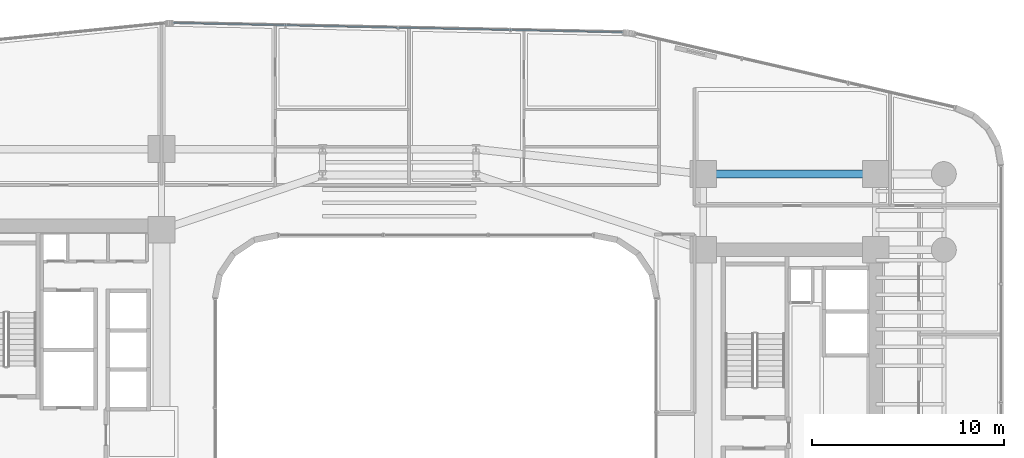
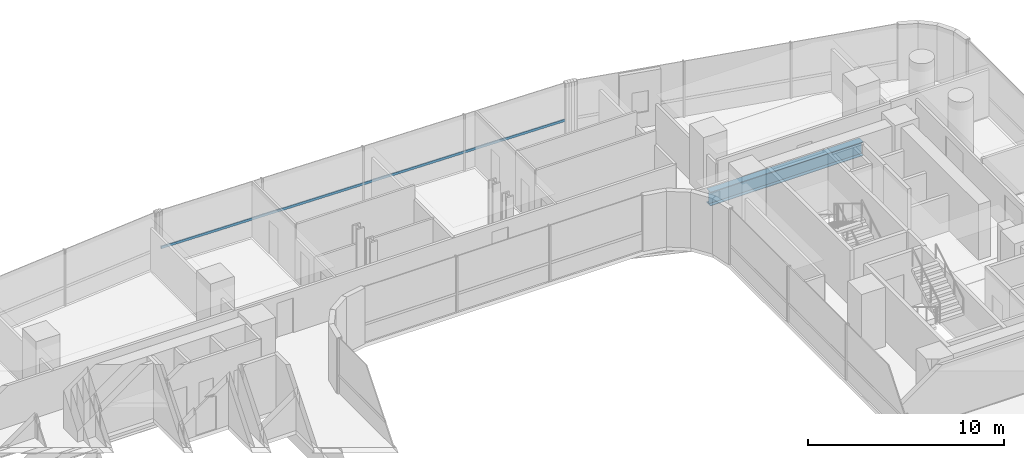
# One storey, part 24 of 41: 1 beam, 1 member, 1 element without a shape of its own.
"""IFC4 building model written with IfcOpenShell, lengths in metres."""

import ifcopenshell
import ifcopenshell.guid

model = None  # the IFC model being written
_history = None  # IfcOwnerHistory: only IFC2X3 demands one
_inside = {}  # id of a spatial element -> (the spatial element, [elements in it])
_under = {}  # id of a project, library or spatial element -> (it, [spatial elements below it])
_declared = {}  # id of a project -> (the project, [libraries it declares])
_typed = {}  # id of a type object -> (the type object, [elements of that type])
_made_of = {}  # id of a material, layer set ... -> (it, [elements and type objects made of it])


def new_model(schema):
    """Start an empty IFC model of exactly this schema.

    Asked for "IFC4X3", IfcOpenShell would pick the latest addendum, in which some entities
    have other attributes; the version numbers below select the first issue.
    IFC2X3 requires an IfcOwnerHistory on every rooted entity: one is made here for all.
    """
    global model, _history
    if schema == "IFC4X3":
        model = ifcopenshell.file(schema_version=(4, 3, 0, 0))
    else:
        model = ifcopenshell.file(schema=schema)
    _inside.clear()
    _under.clear()
    _declared.clear()
    _typed.clear()
    _made_of.clear()
    _history = None
    if model.schema == "IFC2X3":
        org = make("IfcOrganization", Name="unknown")
        user = make(
            "IfcPersonAndOrganization",
            ThePerson=make("IfcPerson", FamilyName="unknown"),
            TheOrganization=org,
        )
        app = make(
            "IfcApplication",
            ApplicationDeveloper=org,
            Version="unknown",
            ApplicationFullName="unknown",
            ApplicationIdentifier="unknown",
        )
        _history = make(
            "IfcOwnerHistory",
            OwningUser=user,
            OwningApplication=app,
            ChangeAction="ADDED",
            CreationDate=0,
        )
    return model


def make(cls, **values):
    """One entity of the class cls with the attributes given. An attribute that is None is left unset."""
    return model.create_entity(
        cls, **{name: value for name, value in values.items() if value is not None}
    )


def rooted(cls, **values):
    """An entity with a GlobalId (a new one), such as an element, a storey or a relation."""
    return make(cls, GlobalId=ifcopenshell.guid.new(), OwnerHistory=_history, **values)


def si_unit(unit_type, name, prefix=None):
    """IfcSIUnit, for example si_unit("LENGTHUNIT", "METRE", prefix="MILLI")."""
    return make("IfcSIUnit", UnitType=unit_type, Prefix=prefix, Name=name)


def assignment(units):
    """IfcUnitAssignment: the units of a project."""
    return None if units is None else make("IfcUnitAssignment", Units=units)


def point(xyz):
    """IfcCartesianPoint."""
    return None if xyz is None else make("IfcCartesianPoint", Coordinates=xyz)


def direction(xyz):
    """IfcDirection."""
    return None if xyz is None else make("IfcDirection", DirectionRatios=xyz)


def frame(location, z_axis=None, x_axis=None):
    """IfcAxis2Placement3D, a coordinate frame: its origin and axes. An axis left out is left unset."""
    return make(
        "IfcAxis2Placement3D",
        Location=point(location),
        Axis=direction(z_axis),
        RefDirection=direction(x_axis),
    )


def frame_2d(location, x_axis=None):
    """IfcAxis2Placement2D, a coordinate frame in the plane: its origin and x axis."""
    return make(
        "IfcAxis2Placement2D", Location=point(location), RefDirection=direction(x_axis)
    )


def origin():
    """The frame at (0, 0, 0) with its axes left unset."""
    return frame((0.0, 0.0, 0.0))


def origin_2d():
    """The frame at (0, 0) in the plane with its x axis left unset."""
    return frame_2d((0.0, 0.0))


def place(relative_to, where):
    """IfcLocalPlacement: puts the frame where relative to a parent placement (None: the world)."""
    return make(
        "IfcLocalPlacement", PlacementRelTo=relative_to, RelativePlacement=where
    )


def context(
    kind, dimensions, precision=None, world=None, true_north=None, identifier=None
):
    """IfcGeometricRepresentationContext, for example the 3D "Model" context."""
    return make(
        "IfcGeometricRepresentationContext",
        ContextIdentifier=identifier,
        ContextType=kind,
        CoordinateSpaceDimension=dimensions,
        Precision=precision,
        WorldCoordinateSystem=world,
        TrueNorth=true_north,
    )


def subcontext(parent, identifier, kind, view, scale=None):
    """IfcGeometricRepresentationSubContext, for example "Body" below "Model"."""
    return make(
        "IfcGeometricRepresentationSubContext",
        ContextIdentifier=identifier,
        ContextType=kind,
        ParentContext=parent,
        TargetScale=scale,
        TargetView=view,
    )


def project(units=None, contexts=None):
    """IfcProject with its units and contexts."""
    return rooted(
        "IfcProject",
        Name="project",
        RepresentationContexts=contexts,
        UnitsInContext=assignment(units),
    )


def spatial(cls, under=None, at=None, **own):
    """A site, building, storey or space (cls), placed at a placement, below another one or the project."""
    s = rooted(cls, ObjectPlacement=at, **own)
    if under is not None:
        _under.setdefault(under.id(), (under, []))[1].append(s)
    return s


def profile(cls, at=None, kind="AREA", **sizes):
    """A parametric profile (cls). Its sizes go by their IFC names, for example OverallWidth=200.0."""
    return make(cls, ProfileType=kind, Position=at, **sizes)


def hollow_rectangle(**sizes):
    """IfcRectangleHollowProfileDef."""
    return profile("IfcRectangleHollowProfileDef", **sizes)


def i_section(**sizes):
    """IfcIShapeProfileDef."""
    return profile("IfcIShapeProfileDef", **sizes)


def extrude(swept, where, along, depth):
    """IfcExtrudedAreaSolid: the profile swept, set in the frame where, extruded along a direction by depth."""
    return make(
        "IfcExtrudedAreaSolid",
        SweptArea=swept,
        Position=where,
        ExtrudedDirection=direction(along),
        Depth=depth,
    )


def shape(context_of_items, identifier, shape_type, items):
    """IfcShapeRepresentation: the items that make up one representation, for example the "Body"."""
    return make(
        "IfcShapeRepresentation",
        ContextOfItems=context_of_items,
        RepresentationIdentifier=identifier,
        RepresentationType=shape_type,
        Items=items,
    )


def source(mapping_origin, context_of_items, identifier, shape_type, items):
    """IfcRepresentationMap: a shape defined once, which mapped items show again and again."""
    return make(
        "IfcRepresentationMap",
        MappingOrigin=mapping_origin,
        MappedRepresentation=shape(context_of_items, identifier, shape_type, items),
    )


def transform(
    local_origin,
    x_axis=None,
    y_axis=None,
    z_axis=None,
    scale=None,
    scale2=None,
    scale3=None,
    uniform=True,
):
    """IfcCartesianTransformationOperator3D, or its non-uniform kind. x_axis, y_axis, z_axis: its Axis1, 2, 3."""
    if uniform:
        return make(
            "IfcCartesianTransformationOperator3D",
            Axis1=direction(x_axis),
            Axis2=direction(y_axis),
            LocalOrigin=point(local_origin),
            Scale=scale,
            Axis3=direction(z_axis),
        )
    return make(
        "IfcCartesianTransformationOperator3DnonUniform",
        Axis1=direction(x_axis),
        Axis2=direction(y_axis),
        LocalOrigin=point(local_origin),
        Scale=scale,
        Axis3=direction(z_axis),
        Scale2=scale2,
        Scale3=scale3,
    )


def mapped(mapping_source, mapping_target):
    """IfcMappedItem: shows the shape of a source again, moved by a transform."""
    return make(
        "IfcMappedItem", MappingSource=mapping_source, MappingTarget=mapping_target
    )


def material(Name=None, Category=None):
    """IfcMaterial."""
    return make("IfcMaterial", Name=Name, Category=Category)


def material_profile(
    of_material, cross_section, Name=None, Category=None, Priority=None
):
    """IfcMaterialProfile: a cross section and its material."""
    return make(
        "IfcMaterialProfile",
        Name=Name,
        Material=of_material,
        Profile=cross_section,
        Priority=Priority,
        Category=Category,
    )


def profile_set(profiles, Name=None, composite=None):
    """IfcMaterialProfileSet."""
    return make(
        "IfcMaterialProfileSet",
        Name=Name,
        MaterialProfiles=profiles,
        CompositeProfile=composite,
    )


def made_of(thing, what):
    """Note that an element or type object is made of a material, layer set ...; save() writes the relation."""
    if what is not None:
        _made_of.setdefault(what.id(), (what, []))[1].append(thing)
    return thing


def type_object(cls, material=None, **own):
    """A type object (cls), such as IfcWallType, which elements share."""
    return made_of(rooted(cls, **own), material)


def element(
    cls,
    number,
    at=None,
    inside=None,
    cuts=None,
    type_object=None,
    material=None,
    context=None,
    identifier="Body",
    shape_type=None,
    held_by="IfcProductDefinitionShape",
    body=None,
    shapes=None,
    **own,
):
    """One element of the class cls, such as IfcWall. Its Tag is "e" and its number.

    at: its placement. inside: the storey or other place that contains it. cuts: it is an
    opening in that element (IfcRelVoidsElement). A single representation is given by context,
    identifier, shape_type and body (its items); several are given by shapes. held_by: the class
    of the entity that holds the representations. save() writes the other relations.
    """
    e = rooted(cls, Tag="e%d" % number, ObjectPlacement=at, **own)
    if body is not None:
        shapes = [shape(context, identifier, shape_type, body)]
    if shapes is not None:
        e.Representation = make(held_by, Representations=shapes)
    if inside is not None:
        _inside.setdefault(inside.id(), (inside, []))[1].append(e)
    if cuts is not None:
        rooted(
            "IfcRelVoidsElement", RelatingBuildingElement=cuts, RelatedOpeningElement=e
        )
    if type_object is not None:
        _typed.setdefault(type_object.id(), (type_object, []))[1].append(e)
    return made_of(e, material)


def aggregate(whole, parts):
    """IfcRelAggregates: a whole, such as a stair, and the parts it consists of."""
    return rooted("IfcRelAggregates", RelatingObject=whole, RelatedObjects=parts)


def save(model, path):
    """Write the relations noted so far, then the file.

    IfcRelAggregates (storeys below a building ...), IfcRelContainedInSpatialStructure (elements
    in a storey), IfcRelDefinesByType, IfcRelAssociatesMaterial and IfcRelDeclares: one each for
    every whole, place, type object, material and project.
    """
    for whole, parts in _under.values():
        aggregate(whole, parts)
    for where, things in _inside.values():
        rooted(
            "IfcRelContainedInSpatialStructure",
            RelatedElements=things,
            RelatingStructure=where,
        )
    for kind, things in _typed.values():
        rooted("IfcRelDefinesByType", RelatedObjects=things, RelatingType=kind)
    for what, things in _made_of.values():
        rooted("IfcRelAssociatesMaterial", RelatedObjects=things, RelatingMaterial=what)
    for by, libraries in _declared.values():
        rooted("IfcRelDeclares", RelatingContext=by, RelatedDefinitions=libraries)
    model.write(path)


model = new_model("IFC4")

# Units and contexts
model_context = context("Model", 3, precision=1e-05, world=origin(), true_north=direction((0.0, 1.0)))
body_context = subcontext(model_context, "Body", "Model", "MODEL_VIEW")
ifc_project = project(units=[si_unit("LENGTHUNIT", "METRE"), si_unit("AREAUNIT", "SQUARE_METRE"), si_unit("VOLUMEUNIT", "CUBIC_METRE"), si_unit("PLANEANGLEUNIT", "RADIAN"), si_unit("MASSUNIT", "GRAM", prefix="KILO")], contexts=[model_context])

# Site, building, storey
site_placement = place(None, origin())
site = spatial("IfcSite", under=ifc_project, at=site_placement, CompositionType="ELEMENT")
building_placement = place(site_placement, origin())
building = spatial("IfcBuilding", under=site, at=building_placement, Name="Valdorenza Pilgrim Sanctuary Tower", CompositionType="ELEMENT")
storey_placement = place(building_placement, frame((0.0, 0.0, 85.199951171875)))
storey = spatial("IfcBuildingStorey", under=building, at=storey_placement, Name="L21", CompositionType="ELEMENT", Elevation=85.199951171875)

# Beam
ifc_material_1 = material(Name="Steel ASTM A992 Grade 50", Category="steel")
ifc_material_profile_1 = material_profile(ifc_material_1, i_section(OverallWidth=0.39990234375, OverallDepth=0.862060546875, WebThickness=0.019775390625, FlangeThickness=0.032470703125, at=origin_2d()), Name="W33X221")
ifc_profile_set_1 = profile_set([ifc_material_profile_1], Name="Steel ASTM A992 Grade 50")
beam_type = type_object("IfcBeamType", Name="STR-BM-GRD-W33", PredefinedType="BEAM", material=ifc_profile_set_1)
shared_shape_1 = source(origin(), body_context, "Body", "SweptSolid", [
    extrude(i_section(OverallWidth=0.39990234375, OverallDepth=0.862060546875, WebThickness=0.019775390625, FlangeThickness=0.032470703125, at=origin_2d()), origin(), (0.0, 0.0, 1.0), 9.0),
])
beam_placement = place(storey_placement, frame((15.85009765625, 13.5, -0.6708984375), z_axis=(1.0, 0.0, 0.0), x_axis=(0.0, 1.0, 0.0)))
element("IfcBeam", 1, at=beam_placement, inside=storey, type_object=beam_type, Name="L21 Floor Girder CB-XC-N2", PredefinedType="BEAM", context=body_context, shape_type="MappedRepresentation", body=[
    mapped(shared_shape_1, transform((0.0, 0.0, 0.0), x_axis=(1.0, 0.0, 0.0), y_axis=(0.0, 1.0, 0.0), z_axis=(0.0, 0.0, 1.0), scale=1.0)),
])

# Curtain wall, member
ifc_material_2 = material(Name="Curtain-wall IGU glazing", Category="glass")
curtain_wall_type = type_object("IfcCurtainWallType", Name="CW-SYS-02", PredefinedType="NOTDEFINED", material=ifc_material_2)
curtain_wall_placement = place(storey_placement, origin())
curtain_wall = element("IfcCurtainWall", 2, at=curtain_wall_placement, inside=storey, type_object=curtain_wall_type, Name="L21 Curtain Wall CW-L21-1-11", PredefinedType="NOTDEFINED")
ifc_material_3 = material(Name="Anodised aluminium AW-6060", Category="aluminium")
ifc_material_profile_2 = material_profile(ifc_material_3, hollow_rectangle(XDim=0.074951171875, YDim=0.14990234375, WallThickness=0.00390625, at=origin_2d()), Name="ALU-T 150x75x4")
ifc_profile_set_2 = profile_set([ifc_material_profile_2], Name="Anodised aluminium AW-6060")
member_type = type_object("IfcMemberType", Name="CW-TRN-02", PredefinedType="USERDEFINED", material=ifc_profile_set_2)
shared_shape_2 = source(origin(), body_context, "Body", "SweptSolid", [
    extrude(hollow_rectangle(XDim=0.074951171875, YDim=0.14990234375, WallThickness=0.00390625, at=origin_2d()), origin(), (0.0, 0.0, 1.0), 23.479248046875),
])
member_placement = place(storey_placement, frame((-11.808349609375, 21.385986328125, 1.1201171875), z_axis=(0.999783083794, -0.020827514476, 0.0), x_axis=(0.020827514476, 0.999783083794, 0.0)))
member = element("IfcMember", 3, at=member_placement, type_object=member_type, Name="CW-L21-1-11 Transom 1", ObjectType="TRANSOM", PredefinedType="USERDEFINED", context=body_context, shape_type="MappedRepresentation", body=[
    mapped(shared_shape_2, transform((0.0, 0.0, 0.0), x_axis=(1.0, 0.0, 0.0), y_axis=(0.0, 1.0, 0.0), z_axis=(0.0, 0.0, 1.0), scale=1.0)),
])
aggregate(curtain_wall, [member])

save(model, "model.ifc")
